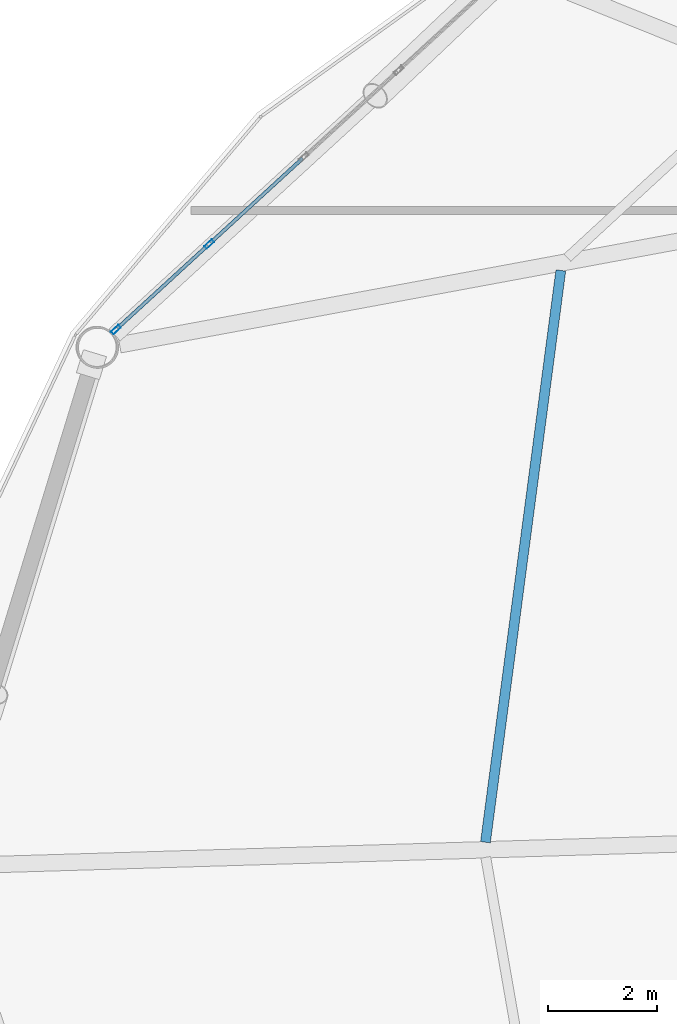
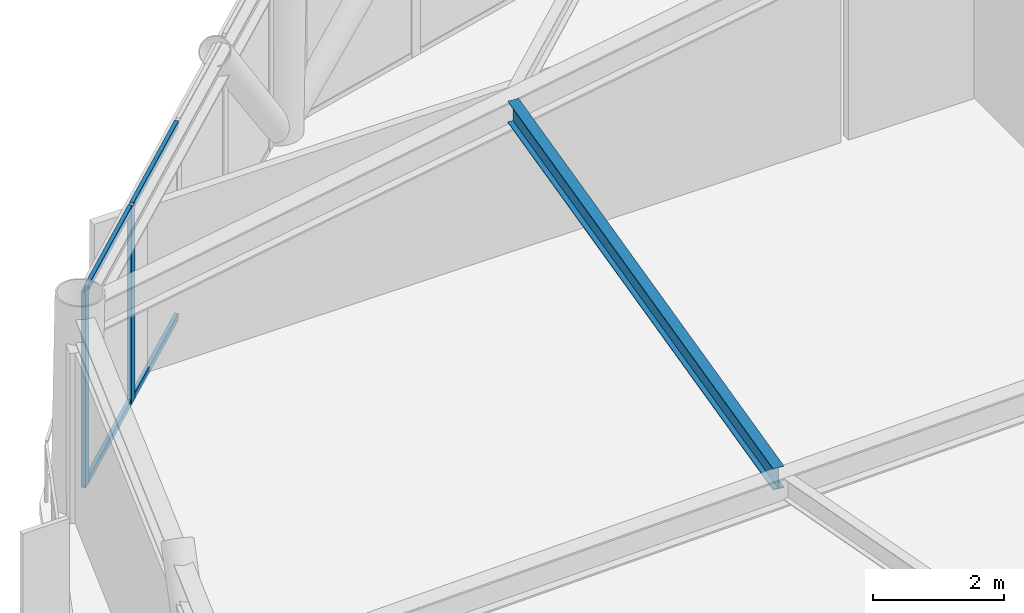
# One storey, part 11 of 25: 6 members, 1 beam, 1 element without a shape of its own.
"""IFC4 building model written with IfcOpenShell, lengths in metres."""

import ifcopenshell
import ifcopenshell.guid

model = None  # the IFC model being written
_history = None  # IfcOwnerHistory: only IFC2X3 demands one
_inside = {}  # id of a spatial element -> (the spatial element, [elements in it])
_under = {}  # id of a project, library or spatial element -> (it, [spatial elements below it])
_declared = {}  # id of a project -> (the project, [libraries it declares])
_typed = {}  # id of a type object -> (the type object, [elements of that type])
_made_of = {}  # id of a material, layer set ... -> (it, [elements and type objects made of it])


def new_model(schema):
    """Start an empty IFC model of exactly this schema.

    Asked for "IFC4X3", IfcOpenShell would pick the latest addendum, in which some entities
    have other attributes; the version numbers below select the first issue.
    IFC2X3 requires an IfcOwnerHistory on every rooted entity: one is made here for all.
    """
    global model, _history
    if schema == "IFC4X3":
        model = ifcopenshell.file(schema_version=(4, 3, 0, 0))
    else:
        model = ifcopenshell.file(schema=schema)
    _inside.clear()
    _under.clear()
    _declared.clear()
    _typed.clear()
    _made_of.clear()
    _history = None
    if model.schema == "IFC2X3":
        org = make("IfcOrganization", Name="unknown")
        user = make(
            "IfcPersonAndOrganization",
            ThePerson=make("IfcPerson", FamilyName="unknown"),
            TheOrganization=org,
        )
        app = make(
            "IfcApplication",
            ApplicationDeveloper=org,
            Version="unknown",
            ApplicationFullName="unknown",
            ApplicationIdentifier="unknown",
        )
        _history = make(
            "IfcOwnerHistory",
            OwningUser=user,
            OwningApplication=app,
            ChangeAction="ADDED",
            CreationDate=0,
        )
    return model


def make(cls, **values):
    """One entity of the class cls with the attributes given. An attribute that is None is left unset."""
    return model.create_entity(
        cls, **{name: value for name, value in values.items() if value is not None}
    )


def rooted(cls, **values):
    """An entity with a GlobalId (a new one), such as an element, a storey or a relation."""
    return make(cls, GlobalId=ifcopenshell.guid.new(), OwnerHistory=_history, **values)


def si_unit(unit_type, name, prefix=None):
    """IfcSIUnit, for example si_unit("LENGTHUNIT", "METRE", prefix="MILLI")."""
    return make("IfcSIUnit", UnitType=unit_type, Prefix=prefix, Name=name)


def assignment(units):
    """IfcUnitAssignment: the units of a project."""
    return None if units is None else make("IfcUnitAssignment", Units=units)


def point(xyz):
    """IfcCartesianPoint."""
    return None if xyz is None else make("IfcCartesianPoint", Coordinates=xyz)


def direction(xyz):
    """IfcDirection."""
    return None if xyz is None else make("IfcDirection", DirectionRatios=xyz)


def frame(location, z_axis=None, x_axis=None):
    """IfcAxis2Placement3D, a coordinate frame: its origin and axes. An axis left out is left unset."""
    return make(
        "IfcAxis2Placement3D",
        Location=point(location),
        Axis=direction(z_axis),
        RefDirection=direction(x_axis),
    )


def frame_2d(location, x_axis=None):
    """IfcAxis2Placement2D, a coordinate frame in the plane: its origin and x axis."""
    return make(
        "IfcAxis2Placement2D", Location=point(location), RefDirection=direction(x_axis)
    )


def origin():
    """The frame at (0, 0, 0) with its axes left unset."""
    return frame((0.0, 0.0, 0.0))


def origin_2d():
    """The frame at (0, 0) in the plane with its x axis left unset."""
    return frame_2d((0.0, 0.0))


def place(relative_to, where):
    """IfcLocalPlacement: puts the frame where relative to a parent placement (None: the world)."""
    return make(
        "IfcLocalPlacement", PlacementRelTo=relative_to, RelativePlacement=where
    )


def context(
    kind, dimensions, precision=None, world=None, true_north=None, identifier=None
):
    """IfcGeometricRepresentationContext, for example the 3D "Model" context."""
    return make(
        "IfcGeometricRepresentationContext",
        ContextIdentifier=identifier,
        ContextType=kind,
        CoordinateSpaceDimension=dimensions,
        Precision=precision,
        WorldCoordinateSystem=world,
        TrueNorth=true_north,
    )


def subcontext(parent, identifier, kind, view, scale=None):
    """IfcGeometricRepresentationSubContext, for example "Body" below "Model"."""
    return make(
        "IfcGeometricRepresentationSubContext",
        ContextIdentifier=identifier,
        ContextType=kind,
        ParentContext=parent,
        TargetScale=scale,
        TargetView=view,
    )


def project(units=None, contexts=None):
    """IfcProject with its units and contexts."""
    return rooted(
        "IfcProject",
        Name="project",
        RepresentationContexts=contexts,
        UnitsInContext=assignment(units),
    )


def spatial(cls, under=None, at=None, **own):
    """A site, building, storey or space (cls), placed at a placement, below another one or the project."""
    s = rooted(cls, ObjectPlacement=at, **own)
    if under is not None:
        _under.setdefault(under.id(), (under, []))[1].append(s)
    return s


def profile(cls, at=None, kind="AREA", **sizes):
    """A parametric profile (cls). Its sizes go by their IFC names, for example OverallWidth=200.0."""
    return make(cls, ProfileType=kind, Position=at, **sizes)


def hollow_rectangle(**sizes):
    """IfcRectangleHollowProfileDef."""
    return profile("IfcRectangleHollowProfileDef", **sizes)


def i_section(**sizes):
    """IfcIShapeProfileDef."""
    return profile("IfcIShapeProfileDef", **sizes)


def extrude(swept, where, along, depth):
    """IfcExtrudedAreaSolid: the profile swept, set in the frame where, extruded along a direction by depth."""
    return make(
        "IfcExtrudedAreaSolid",
        SweptArea=swept,
        Position=where,
        ExtrudedDirection=direction(along),
        Depth=depth,
    )


def shape(context_of_items, identifier, shape_type, items):
    """IfcShapeRepresentation: the items that make up one representation, for example the "Body"."""
    return make(
        "IfcShapeRepresentation",
        ContextOfItems=context_of_items,
        RepresentationIdentifier=identifier,
        RepresentationType=shape_type,
        Items=items,
    )


def material(Name=None, Category=None):
    """IfcMaterial."""
    return make("IfcMaterial", Name=Name, Category=Category)


def layer(
    of_material, thickness, ventilated=None, Name=None, Category=None, Priority=None
):
    """IfcMaterialLayer: one layer of a wall or slab, of a material (None: an air gap)."""
    return make(
        "IfcMaterialLayer",
        Material=of_material,
        LayerThickness=thickness,
        IsVentilated=ventilated,
        Name=Name,
        Category=Category,
        Priority=Priority,
    )


def layer_set(layers, Name=None):
    """IfcMaterialLayerSet."""
    return make("IfcMaterialLayerSet", MaterialLayers=layers, LayerSetName=Name)


def material_profile(
    of_material, cross_section, Name=None, Category=None, Priority=None
):
    """IfcMaterialProfile: a cross section and its material."""
    return make(
        "IfcMaterialProfile",
        Name=Name,
        Material=of_material,
        Profile=cross_section,
        Priority=Priority,
        Category=Category,
    )


def profile_set(profiles, Name=None, composite=None):
    """IfcMaterialProfileSet."""
    return make(
        "IfcMaterialProfileSet",
        Name=Name,
        MaterialProfiles=profiles,
        CompositeProfile=composite,
    )


def made_of(thing, what):
    """Note that an element or type object is made of a material, layer set ...; save() writes the relation."""
    if what is not None:
        _made_of.setdefault(what.id(), (what, []))[1].append(thing)
    return thing


def type_object(cls, material=None, **own):
    """A type object (cls), such as IfcWallType, which elements share."""
    return made_of(rooted(cls, **own), material)


def element(
    cls,
    number,
    at=None,
    inside=None,
    cuts=None,
    type_object=None,
    material=None,
    context=None,
    identifier="Body",
    shape_type=None,
    held_by="IfcProductDefinitionShape",
    body=None,
    shapes=None,
    **own,
):
    """One element of the class cls, such as IfcWall. Its Tag is "e" and its number.

    at: its placement. inside: the storey or other place that contains it. cuts: it is an
    opening in that element (IfcRelVoidsElement). A single representation is given by context,
    identifier, shape_type and body (its items); several are given by shapes. held_by: the class
    of the entity that holds the representations. save() writes the other relations.
    """
    e = rooted(cls, Tag="e%d" % number, ObjectPlacement=at, **own)
    if body is not None:
        shapes = [shape(context, identifier, shape_type, body)]
    if shapes is not None:
        e.Representation = make(held_by, Representations=shapes)
    if inside is not None:
        _inside.setdefault(inside.id(), (inside, []))[1].append(e)
    if cuts is not None:
        rooted(
            "IfcRelVoidsElement", RelatingBuildingElement=cuts, RelatedOpeningElement=e
        )
    if type_object is not None:
        _typed.setdefault(type_object.id(), (type_object, []))[1].append(e)
    return made_of(e, material)


def aggregate(whole, parts):
    """IfcRelAggregates: a whole, such as a stair, and the parts it consists of."""
    return rooted("IfcRelAggregates", RelatingObject=whole, RelatedObjects=parts)


def save(model, path):
    """Write the relations noted so far, then the file.

    IfcRelAggregates (storeys below a building ...), IfcRelContainedInSpatialStructure (elements
    in a storey), IfcRelDefinesByType, IfcRelAssociatesMaterial and IfcRelDeclares: one each for
    every whole, place, type object, material and project.
    """
    for whole, parts in _under.values():
        aggregate(whole, parts)
    for where, things in _inside.values():
        rooted(
            "IfcRelContainedInSpatialStructure",
            RelatedElements=things,
            RelatingStructure=where,
        )
    for kind, things in _typed.values():
        rooted("IfcRelDefinesByType", RelatedObjects=things, RelatingType=kind)
    for what, things in _made_of.values():
        rooted("IfcRelAssociatesMaterial", RelatedObjects=things, RelatingMaterial=what)
    for by, libraries in _declared.values():
        rooted("IfcRelDeclares", RelatingContext=by, RelatedDefinitions=libraries)
    model.write(path)


model = new_model("IFC4")

# Units and contexts
model_context = context("Model", 3, precision=1e-05, world=origin(), true_north=direction((0.0, 1.0)))
body_context = subcontext(model_context, "Body", "Model", "MODEL_VIEW")
ifc_project = project(units=[si_unit("LENGTHUNIT", "METRE"), si_unit("AREAUNIT", "SQUARE_METRE"), si_unit("VOLUMEUNIT", "CUBIC_METRE"), si_unit("PLANEANGLEUNIT", "RADIAN"), si_unit("MASSUNIT", "GRAM", prefix="KILO")], contexts=[model_context])

# Site, building, storey
site_placement = place(None, origin())
site = spatial("IfcSite", under=ifc_project, at=site_placement, CompositionType="ELEMENT")
building_placement = place(site_placement, origin())
building = spatial("IfcBuilding", under=site, at=building_placement, Name="Varnakorn Sky Granary", CompositionType="ELEMENT")
storey_placement = place(building_placement, frame((0.0, 0.0, 146.10009765625)))
storey = spatial("IfcBuildingStorey", under=building, at=storey_placement, Name="L36", CompositionType="ELEMENT", Elevation=146.10009765625)

# Beam
ifc_material_1 = material(Name="Steel S355JR", Category="steel")
ifc_material_profile_1 = material_profile(ifc_material_1, i_section(OverallWidth=0.179931640625, OverallDepth=0.39990234375, WebThickness=0.008544921875, FlangeThickness=0.013427734375, at=origin_2d()), Name="IPE 400")
ifc_profile_set_1 = profile_set([ifc_material_profile_1], Name="Steel S355JR")
beam_type = type_object("IfcBeamType", Name="BM-SEC-Z3", PredefinedType="BEAM", material=ifc_profile_set_1)
beam_placement = place(storey_placement, frame((-10.94580078125, 10.904541015625, 3.43994140625), z_axis=(-0.130660894719, -0.991427118144, 0.0), x_axis=(0.991427118144, -0.130660894719, 0.0)))
element("IfcBeam", 1, at=beam_placement, inside=storey, type_object=beam_type, Name="Secondary Floor Chord Beam MSB06 L36", PredefinedType="BEAM", context=body_context, shape_type="SweptSolid", body=[
    extrude(i_section(OverallWidth=0.179931640625, OverallDepth=0.39990234375, WebThickness=0.008544921875, FlangeThickness=0.013427734375, at=origin_2d()), origin(), (0.0, 0.0, 1.0), 10.55712890625),
])

# Curtain wall, members
ifc_material_2 = material(Name="Anodised Bronze Aluminium Alloy 6063-T6", Category="aluminium")
ifc_layer = layer(ifc_material_2, 0.179931640625, Name="Anodised Bronze Aluminium Alloy 6063-T6")
ifc_layer_set = layer_set([ifc_layer], Name="Anodised Bronze Aluminium Alloy 6063-T6")
curtain_wall_type = type_object("IfcCurtainWallType", Name="CW-FRM-2", PredefinedType="USERDEFINED", material=ifc_layer_set)
curtain_wall_placement = place(storey_placement, origin())
curtain_wall = element("IfcCurtainWall", 2, at=curtain_wall_placement, inside=storey, type_object=curtain_wall_type, Name="Unitised Curtain Wall CW4 CW-L36-B05", ObjectType="CURTAIN WALL", PredefinedType="USERDEFINED")
ifc_material_profile_2 = material_profile(ifc_material_2, hollow_rectangle(XDim=0.070068359375, YDim=0.18505859375, WallThickness=0.00390625, at=origin_2d()), Name="ALU MULL 70x185")
ifc_profile_set_2 = profile_set([ifc_material_profile_2], Name="Anodised Bronze Aluminium Alloy 6063-T6")
member_type_1 = type_object("IfcMemberType", Name="CW-FRM-2-MULL", PredefinedType="MULLION", material=ifc_profile_set_2)
member_1_placement = place(storey_placement, frame((-19.0888671875, 9.822265625, 0.0), z_axis=(0.0, 0.0, 1.0), x_axis=(-0.675960473988, 0.736937879069, 0.0)))
member_1 = element("IfcMember", 3, at=member_1_placement, type_object=member_type_1, Name="CW4 mullion 1", PredefinedType="MULLION", context=body_context, shape_type="SweptSolid", body=[
    extrude(hollow_rectangle(XDim=0.070068359375, YDim=0.18505859375, WallThickness=0.00390625, at=origin_2d()), origin(), (0.0, 0.0, 1.0), 3.639892578125),
])
member_2_placement = place(storey_placement, frame((-17.381591796875, 11.38818359375, 0.0), z_axis=(0.0, 0.0, 1.0), x_axis=(-0.675960473988, 0.736937879069, 0.0)))
member_2 = element("IfcMember", 4, at=member_2_placement, type_object=member_type_1, Name="CW4 mullion 2", PredefinedType="MULLION", context=body_context, shape_type="SweptSolid", body=[
    extrude(hollow_rectangle(XDim=0.070068359375, YDim=0.18505859375, WallThickness=0.00390625, at=origin_2d()), origin(), (0.0, 0.0, 1.0), 3.639892578125),
])
ifc_material_profile_3 = material_profile(ifc_material_2, hollow_rectangle(XDim=0.06494140625, YDim=0.1201171875, WallThickness=0.00341796875, at=origin_2d()), Name="ALU TRAN 65x120")
ifc_profile_set_3 = profile_set([ifc_material_profile_3], Name="Anodised Bronze Aluminium Alloy 6063-T6")
member_type_2 = type_object("IfcMemberType", Name="CW-FRM-2-TRAN", PredefinedType="USERDEFINED", material=ifc_profile_set_3)
member_3_placement = place(storey_placement, frame((-19.063232421875, 9.845947265625, 0.032470703125), z_axis=(0.736982708945, 0.67591159682, 0.0), x_axis=(-0.67591159682, 0.736982708945, 0.0)))
member_3 = element("IfcMember", 5, at=member_3_placement, type_object=member_type_2, Name="CW4 transom 1.1", ObjectType="TRANSOM", PredefinedType="USERDEFINED", context=body_context, shape_type="SweptSolid", body=[
    extrude(hollow_rectangle(XDim=0.06494140625, YDim=0.1201171875, WallThickness=0.00341796875, at=origin_2d()), origin(), (0.0, 0.0, 1.0), 2.24658203125),
])
member_4_placement = place(storey_placement, frame((-19.063232421875, 9.845947265625, 3.607421875), z_axis=(0.736982708945, 0.67591159682, 0.0), x_axis=(-0.67591159682, 0.736982708945, 0.0)))
member_4 = element("IfcMember", 6, at=member_4_placement, type_object=member_type_2, Name="CW4 transom 1.2", ObjectType="TRANSOM", PredefinedType="USERDEFINED", context=body_context, shape_type="SweptSolid", body=[
    extrude(hollow_rectangle(XDim=0.06494140625, YDim=0.1201171875, WallThickness=0.00341796875, at=origin_2d()), origin(), (0.0, 0.0, 1.0), 2.24658203125),
])
member_5_placement = place(storey_placement, frame((-17.35595703125, 11.411865234375, 0.032470703125), z_axis=(0.736940932781, 0.675957144789, 0.0), x_axis=(-0.675957144789, 0.736940932781, 0.0)))
member_5 = element("IfcMember", 7, at=member_5_placement, type_object=member_type_2, Name="CW4 transom 2.1", ObjectType="TRANSOM", PredefinedType="USERDEFINED", context=body_context, shape_type="SweptSolid", body=[
    extrude(hollow_rectangle(XDim=0.06494140625, YDim=0.1201171875, WallThickness=0.00341796875, at=origin_2d()), origin(), (0.0, 0.0, 1.0), 2.281982421875),
])
member_6_placement = place(storey_placement, frame((-17.35595703125, 11.411865234375, 3.607421875), z_axis=(0.736940932781, 0.675957144789, 0.0), x_axis=(-0.675957144789, 0.736940932781, 0.0)))
member_6 = element("IfcMember", 8, at=member_6_placement, type_object=member_type_2, Name="CW4 transom 2.2", ObjectType="TRANSOM", PredefinedType="USERDEFINED", context=body_context, shape_type="SweptSolid", body=[
    extrude(hollow_rectangle(XDim=0.06494140625, YDim=0.1201171875, WallThickness=0.00341796875, at=origin_2d()), origin(), (0.0, 0.0, 1.0), 2.281982421875),
])
aggregate(curtain_wall, [member_1, member_2, member_3, member_4, member_5, member_6])

save(model, "model.ifc")
